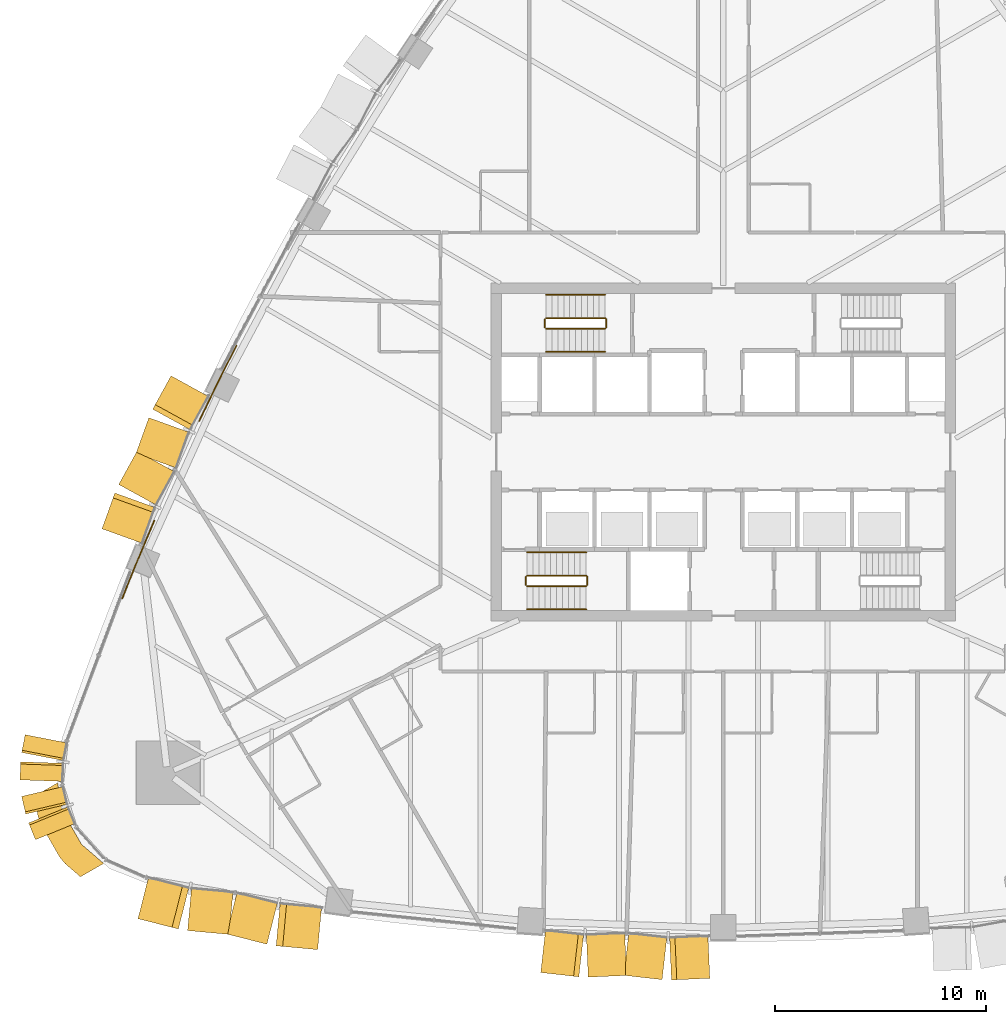
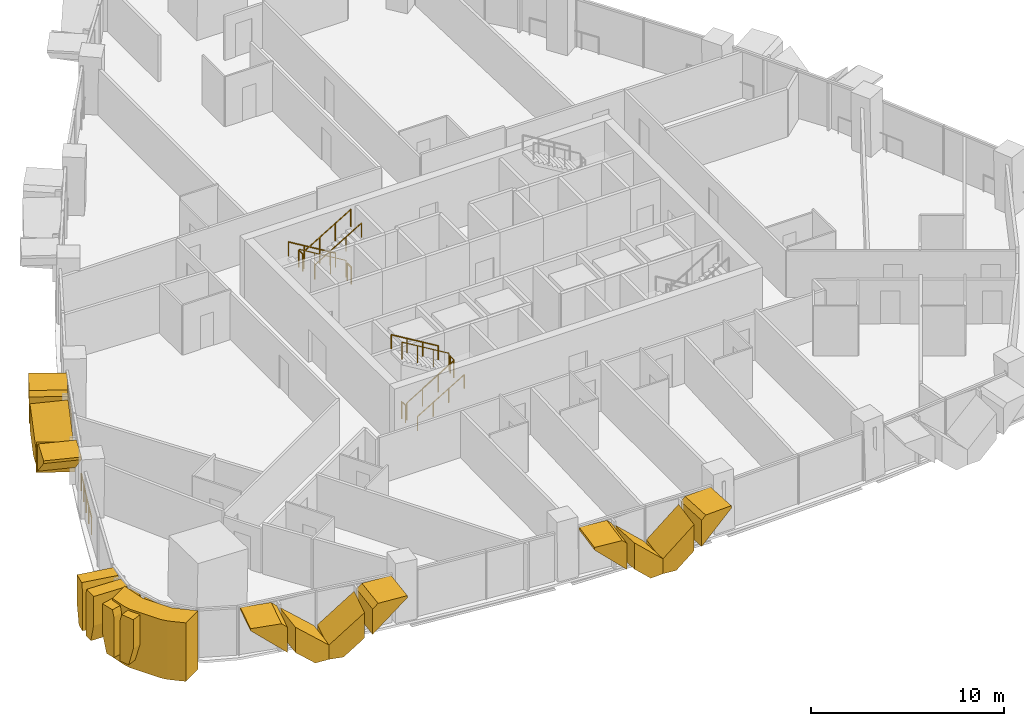
# One storey, part 16 of 19: 17 coverings, 14 railings.
"""IFC4 building model written with IfcOpenShell, lengths in metres."""

from ifc_helpers import new_model, si_unit, direction, frame, origin, origin_2d, place, context, subcontext, project, spatial, polyline, circle, outline, extrude, material, layer, layer_set, type_object, element, save


model = new_model("IFC4")

# Units and contexts
model_context = context("Model", 3, precision=1e-05, world=origin(), true_north=direction((0.0, 1.0)))
body_context = subcontext(model_context, "Body", "Model", "MODEL_VIEW")
ifc_project = project(units=[si_unit("LENGTHUNIT", "METRE"), si_unit("AREAUNIT", "SQUARE_METRE"), si_unit("VOLUMEUNIT", "CUBIC_METRE"), si_unit("PLANEANGLEUNIT", "RADIAN"), si_unit("MASSUNIT", "GRAM", prefix="KILO")], contexts=[model_context])

# Site, building, storey
site_placement = place(None, origin())
site = spatial("IfcSite", under=ifc_project, at=site_placement, CompositionType="ELEMENT")
building_placement = place(site_placement, origin())
building = spatial("IfcBuilding", under=site, at=building_placement, Name="Sierra Prisma Convention Tower", CompositionType="ELEMENT")
storey_placement = place(building_placement, frame((0.0, 0.0, 77.60009765625)))
storey = spatial("IfcBuildingStorey", under=building, at=storey_placement, Name="L15", CompositionType="ELEMENT", Elevation=77.60009765625)

# Coverings
ifc_material_1 = material(Name="Aluminium composite bronze anodised", Category="aluminium")
ifc_layer_1 = layer(ifc_material_1, 1.199951171875)
ifc_layer_set_1 = layer_set([ifc_layer_1], Name="Bronze corner pier")
covering_type_1 = type_object("IfcCoveringType", Name="Bronze corner pier", PredefinedType="CLADDING", material=ifc_layer_set_1)
covering_1_placement = place(storey_placement, frame((0.0, 0.0, -0.60009765625)))
element("IfcCovering", 1, at=covering_1_placement, inside=storey, type_object=covering_type_1, Name="Corner pier SW L15.1", PredefinedType="CLADDING", context=body_context, shape_type="SweptSolid", body=[
    extrude(outline(polyline([(-31.18701171875, -19.494140625), (-31.44384765625, -19.1826171875), (-32.32421875, -17.64794921875), (-32.46337890625, -17.268798828125), (-32.641357421875, -16.30517578125), (-31.538818359375, -15.668701171875), (-31.283447265625, -17.05078125), (-30.403076171875, -18.58544921875), (-29.355712890625, -19.489013671875), (-30.456298828125, -20.124267578125), (-31.18701171875, -19.494140625)])), origin(), (0.0, 0.0, 1.0), 3.699951171875),
])
ifc_material_2 = material(Name="Aluminium 6063-T6 bronze anodised", Category="aluminium")
ifc_layer_2 = layer(ifc_material_2, 2.0)
ifc_layer_set_2 = layer_set([ifc_layer_2], Name="Bronze crystal chevron frame")
covering_type_2 = type_object("IfcCoveringType", Name="Bronze crystal chevron frame", PredefinedType="CLADDING", material=ifc_layer_set_2)
covering_2_placement = place(storey_placement, frame((-27.731201171875, -22.107177734375, 2.97998046875), z_axis=(-0.246490735757, -0.969145147577, -1.0673874e-05), x_axis=(2.631011e-06, 1.0344533e-05, -0.999999999943)))
element("IfcCovering", 2, at=covering_2_placement, inside=storey, type_object=covering_type_2, Name="CW-2 chevron frame S1.1.1", PredefinedType="CLADDING", context=body_context, shape_type="SweptSolid", body=[
    extrude(outline(polyline([(0.0, 0.0), (0.13256835936744815, 0.0), (1.8725585936744535, 1.9750001183017465), (0.27319335939056266, 1.9750001183017465), (-1.9732193179758384e-10, 1.6649001971514577), (0.0, 0.0)])), origin(), (0.0, 0.0, -1.0), 2.0),
])
covering_3_placement = place(storey_placement, frame((-25.380126953125, -22.669189453125, 2.59228515625), z_axis=(-0.091856139906, -0.995772287952, -1.0424637e-05), x_axis=(9.57567e-07, 1.0380564e-05, -0.999999999946)))
element("IfcCovering", 3, at=covering_3_placement, inside=storey, type_object=covering_type_2, Name="CW-2 chevron frame S1.1.2", PredefinedType="CLADDING", context=body_context, shape_type="SweptSolid", body=[
    extrude(outline(polyline([(0.0, 0.0), (1.599365234288096, 0.0), (2.5922851564834772, 1.1273212850521799), (2.5922851562170477, 1.9749010966411102), (1.7399902343883586, 1.9749010966411102), (0.0, 0.0)])), origin(), (0.0, 0.0, -1.0), 2.0),
])
covering_4_placement = place(storey_placement, frame((-23.535888671875, -22.82958984375, 0.0), z_axis=(-0.246356612253, -0.969179249902, -3.4031225e-05), x_axis=(0.969179250464, -0.246356612395, -3.35e-09)))
element("IfcCovering", 4, at=covering_4_placement, inside=storey, type_object=covering_type_2, Name="CW-2 chevron frame S1.2.1", PredefinedType="CLADDING", context=body_context, shape_type="SweptSolid", body=[
    extrude(outline(polyline([(0.0, 0.0), (0.8476374710468428, 8.470329472543003e-22), (1.974939950809314, 0.9929199290654092), (1.9749399454519279, 2.592285162514277), (-2.8549282284400705e-09, 0.8522949213814682), (0.0, 0.0)])), origin(), (0.0, 0.0, -1.0), 2.0),
])
covering_5_placement = place(storey_placement, frame((-19.21826171875, -23.57275390625, 2.97998046875), z_axis=(-0.091843965153, -0.995773409725, -5.0495189e-05), x_axis=(-0.995773410994, 0.09184396527, 2.652e-09)))
element("IfcCovering", 5, at=covering_5_placement, inside=storey, type_object=covering_type_2, Name="CW-2 chevron frame S1.2.2", PredefinedType="CLADDING", context=body_context, shape_type="SweptSolid", body=[
    extrude(outline(polyline([(0.0, 0.0), (1.6649881729302238, 0.0), (1.9749010958954691, 0.2731933649612886), (1.9749010916534977, 1.8725585972972867), (-3.516089833202276e-10, 0.132568359205991), (0.0, 0.0)])), origin(), (0.0, 0.0, -1.0), 2.0),
])
covering_6_placement = place(storey_placement, frame((-8.652587890625, -24.65576171875, 2.97998046875), z_axis=(-0.112465970089, -0.993655576822, -1.4922851e-05), x_axis=(1.678313e-06, 1.4828174e-05, -0.999999999889)))
element("IfcCovering", 6, at=covering_6_placement, inside=storey, type_object=covering_type_2, Name="CW-2 chevron frame S3.1.1", PredefinedType="CLADDING", context=body_context, shape_type="SweptSolid", body=[
    extrude(outline(polyline([(0.0, 0.0), (0.16552734373156924, 3.505177845693455e-23), (1.8964843748422784, 1.8191582945687363), (0.2399902344017219, 1.8191582945687363), (-4.057486676755433e-10, 1.5670741455295385), (0.0, 0.0)])), origin(), (0.0, 0.0, -1.0), 2.0),
])
covering_7_placement = place(storey_placement, frame((-6.40185546875, -24.87548828125, 2.6162109375), z_axis=(0.044402094206, -0.999013739986, -3.672314e-05), x_axis=(-1.630584e-06, 3.6686921e-05, -0.999999999326)))
element("IfcCovering", 7, at=covering_7_placement, inside=storey, type_object=covering_type_2, Name="CW-2 chevron frame S3.1.2", PredefinedType="CLADDING", context=body_context, shape_type="SweptSolid", body=[
    extrude(outline(polyline([(0.0, 0.0), (1.656494139508035, 3.507762785107683e-22), (2.61621094045794, 1.0088131608358997), (2.6162109370301665, 1.819178559244397), (1.7309570313770888, 1.819178559244397), (0.0, 0.0)])), origin(), (0.0, 0.0, -1.0), 2.0),
])
covering_8_placement = place(storey_placement, frame((-4.708740234375, -24.790283203125, 0.0), z_axis=(-0.112495088395, -0.993652279006, 5.9278726e-05), x_axis=(0.993652280751, -0.112495088594, -1.1022e-08)))
element("IfcCovering", 8, at=covering_8_placement, inside=storey, type_object=covering_type_2, Name="CW-2 chevron frame S3.2.1", PredefinedType="CLADDING", context=body_context, shape_type="SweptSolid", body=[
    extrude(outline(polyline([(0.0, 0.0), (0.810336519788059, 0.0), (1.8191582831045787, 0.959716818612173), (1.819158264846515, 2.6162109563267393), (-9.75736757982233e-09, 0.8852539046946233), (0.0, 0.0)])), origin(), (0.0, 0.0, -1.0), 2.0),
])
covering_9_placement = place(storey_placement, frame((-0.640625, -24.92919921875, 2.97998046875), z_axis=(0.044419677706, -0.999012958901, 1.3436978e-05), x_axis=(-0.999012958991, -0.04441967771, 2.1e-10)))
element("IfcCovering", 9, at=covering_9_placement, inside=storey, type_object=covering_type_2, Name="CW-2 chevron frame S3.2.2", PredefinedType="CLADDING", context=body_context, shape_type="SweptSolid", body=[
    extrude(outline(polyline([(0.0, 0.0), (1.5669752688472267, 0.0), (1.8191785595325531, 0.23999023477858322), (1.8191785591847893, 1.8964843752540412), (-3.475076032456509e-11, 0.16552734373505684), (0.0, 0.0)])), origin(), (0.0, 0.0, -1.0), 2.0),
])
covering_10_placement = place(storey_placement, frame((-26.1650390625, 3.61083984375, 2.97998046875), z_axis=(-0.876337283848, 0.481697997257, 6.6161734e-05), x_axis=(-5.7979994e-05, 3.1869975e-05, -0.999999997811)))
element("IfcCovering", 10, at=covering_10_placement, inside=storey, type_object=covering_type_2, Name="CW-2 chevron frame NW5.1.1", PredefinedType="CLADDING", context=body_context, shape_type="SweptSolid", body=[
    extrude(outline(polyline([(0.0, 0.0), (0.16918945275469716, 5.732361644992482e-22), (1.8994140593762046, 1.8027779189897473), (0.2360839848917141, 1.8027779189897473), (-8.021625283158621e-09, 1.5567058851737683), (0.0, 0.0)])), origin(), (0.0, 0.0, -1.0), 2.0),
])
covering_11_placement = place(storey_placement, frame((-27.2158203125, 1.626708984375, 2.619140625), z_axis=(-0.940933599858, 0.33859113892, 3.6106659e-05), x_axis=(-3.3973969e-05, 1.2225395e-05, -0.999999999348)))
element("IfcCovering", 11, at=covering_11_placement, inside=storey, type_object=covering_type_2, Name="CW-2 chevron frame NW5.1.2", PredefinedType="CLADDING", context=body_context, shape_type="SweptSolid", body=[
    extrude(outline(polyline([(0.0, 0.0), (1.663330077040766, 2.8177907566618888e-21), (2.619140627866465, 0.9961369742433563), (2.6191406245388067, 1.8025252857236567), (1.7299804688684017, 1.8025252857236567), (0.0, 0.0)])), origin(), (0.0, 0.0, -1.0), 2.0),
])
covering_12_placement = place(storey_placement, frame((-27.775146484375, 0.0439453125, 0.0), z_axis=(-0.876388177722, 0.481605400594, 8.221524e-06), x_axis=(-0.481605400611, -0.876388177752, -2.14e-10)))
element("IfcCovering", 12, at=covering_12_placement, inside=storey, type_object=covering_type_2, Name="CW-2 chevron frame NW5.2.1", PredefinedType="CLADDING", context=body_context, shape_type="SweptSolid", body=[
    extrude(outline(polyline([(0.0, 0.0), (0.80648876146539, 8.470329472543003e-22), (1.8026603276279587, 0.9558105472929453), (1.8026603272721236, 2.6191406253617306), (-1.9021748507486815e-10, 0.8891601562199494), (0.0, 0.0)])), origin(), (0.0, 0.0, -1.0), 2.0),
])
covering_13_placement = place(storey_placement, frame((-29.436279296875, -3.635986328125, 2.97998046875), z_axis=(-0.940926344773, 0.33861130136, 1.7423595e-05), x_axis=(0.338611301412, 0.940926344916, 3.57e-10)))
element("IfcCovering", 13, at=covering_13_placement, inside=storey, type_object=covering_type_2, Name="CW-2 chevron frame NW5.2.2", PredefinedType="CLADDING", context=body_context, shape_type="SweptSolid", body=[
    extrude(outline(polyline([(0.0, 0.0), (1.5565622419181362, 0.0), (1.8025252859649608, 0.23608398505506253), (1.8025252853704823, 1.8994140629275844), (-6.046874440899754e-11, 0.1691894530993186), (0.0, 0.0)])), origin(), (0.0, 0.0, -1.0), 2.0),
])
covering_14_placement = place(storey_placement, frame((-33.076416015625, -13.39013671875, 2.97998046875), z_axis=(-0.981623000681, 0.190830511136, 2.3533257e-05), x_axis=(-2.3100786e-05, 4.490863e-06, -0.999999999723)))
element("IfcCovering", 14, at=covering_14_placement, inside=storey, type_object=covering_type_2, Name="CW-2 chevron frame SW1.1.1", PredefinedType="CLADDING", context=body_context, shape_type="SweptSolid", body=[
    extrude(outline(polyline([(0.0, 0.0), (1.841552733865061, 0.0), (2.979980471341911, 0.30246103523199497), (2.9799804685737077, 0.8583076780506633), (0.3996582036632173, 0.8583076780506633), (7.058754763989405e-10, 0.7521084705712978), (0.0, 0.0)])), origin(), (0.0, 0.0, -1.0), 2.0),
])
covering_15_placement = place(storey_placement, frame((-33.290283203125, -14.67333984375, 0.0), z_axis=(-0.999397759366, 0.034700411327, 5.243125e-06), x_axis=(-0.034700411328, -0.99939775938, -2.1e-11)))
element("IfcCovering", 15, at=covering_15_placement, inside=storey, type_object=covering_type_2, Name="CW-2 chevron frame SW1.1.2", PredefinedType="CLADDING", context=body_context, shape_type="SweptSolid", body=[
    extrude(outline(polyline([(0.0, 0.0), (0.5557546960655034, -1.3234889800848443e-23), (0.8584270450553323, 1.1384277343908422), (0.858427045017212, 2.9799804687405302), (0.10626428985535488, 2.9799804688439977), (-5.3412932982988035e-11, 2.5803222655895333), (0.0, 0.0)])), origin(), (0.0, 0.0, -1.0), 2.0),
])
covering_16_placement = place(storey_placement, frame((-33.242919921875, -16.31298828125, 2.97998046875), z_axis=(-0.973500403921, -0.228685290733, 3.6976692e-05), x_axis=(-3.5996825e-05, -8.456026e-06, -0.999999999316)))
element("IfcCovering", 16, at=covering_16_placement, inside=storey, type_object=covering_type_2, Name="CW-2 chevron frame SW2.1.1", PredefinedType="CLADDING", context=body_context, shape_type="SweptSolid", body=[
    extrude(outline(polyline([(0.0, 0.0), (1.8415527331160448, 0.0), (2.979980469365474, 0.3024315003060266), (2.979980467574227, 0.8584362448183566), (0.3996582037132328, 0.8584362448183566), (-4.428878439706079e-09, 0.7521364363850338), (0.0, 0.0)])), origin(), (0.0, 0.0, -1.0), 2.0),
])
covering_17_placement = place(storey_placement, frame((-32.91162109375, -17.571044921875, 0.0), z_axis=(-0.925565823923, -0.37858672099, 1.6600413e-05), x_axis=(0.378586721042, -0.925565824051, 1.134e-09)))
element("IfcCovering", 17, at=covering_17_placement, inside=storey, type_object=covering_type_2, Name="CW-2 chevron frame SW2.1.2", PredefinedType="CLADDING", context=body_context, shape_type="SweptSolid", body=[
    extrude(outline(polyline([(0.0, 0.0), (0.5557883166047477, 8.470329472543003e-22), (0.8583227838027331, 1.138427733272808), (0.8583227858911511, 2.9799804673940664), (0.10608991310609436, 2.9799804703529005), (2.9262215210570065e-09, 2.5803222652694653), (0.0, 0.0)])), origin(), (0.0, 0.0, -1.0), 2.0),
])

# Railings
ifc_material_3 = material(Name="Stainless steel", Category="steel")
railing_type_1 = type_object("IfcRailingType", Name="Exit stair handrail", PredefinedType="HANDRAIL", material=ifc_material_3)
railing_1_placement = place(storey_placement, frame((-9.300048828125, -7.449951171875, 0.16796875)))
element("IfcRailing", 18, at=railing_1_placement, inside=storey, type_object=railing_type_1, Name="L15 S1 stair handrail 1", PredefinedType="HANDRAIL", context=body_context, shape_type="SweptSolid", body=[
    extrude(circle(Radius=0.02392578125, at=origin_2d()), frame((0.0, 0.0, 0.8759765625), z_axis=(0.857242210791, 0.0, 0.514913383045), x_axis=(0.0, 1.0, 0.0)), (0.0, 0.0, 1.0), 3.266357421875),
    extrude(circle(Radius=0.02099609375, at=origin_2d()), origin(), (0.0, 0.0, 1.0), 0.851806640625),
    extrude(circle(Radius=0.02099609375, at=origin_2d()), frame((0.933349609375, 0.0, 0.560546875)), (0.0, 0.0, 1.0), 0.851806640625),
    extrude(circle(Radius=0.02099609375, at=origin_2d()), frame((1.86669921875, 0.0, 1.121337890625)), (0.0, 0.0, 1.0), 0.851806640625),
    extrude(circle(Radius=0.02099609375, at=origin_2d()), frame((2.800048828125, 0.0, 1.681884765625)), (0.0, 0.0, 1.0), 0.851806640625),
])
railing_2_placement = place(storey_placement, frame((-6.5, -4.75, 2.01806640625)))
element("IfcRailing", 19, at=railing_2_placement, inside=storey, type_object=railing_type_1, Name="L15 S1 stair handrail 2", PredefinedType="HANDRAIL", context=body_context, shape_type="SweptSolid", body=[
    extrude(circle(Radius=0.02392578125, at=origin_2d()), frame((0.0, 0.0, 0.8759765625), z_axis=(-0.857242210791, 0.0, 0.514913383045), x_axis=(0.0, -1.0, 0.0)), (0.0, 0.0, 1.0), 3.266357421875),
    extrude(circle(Radius=0.02099609375, at=origin_2d()), origin(), (0.0, 0.0, 1.0), 0.851806640625),
    extrude(circle(Radius=0.02099609375, at=origin_2d()), frame((-0.933349609375, 0.0, 0.560546875)), (0.0, 0.0, 1.0), 0.851806640625),
    extrude(circle(Radius=0.02099609375, at=origin_2d()), frame((-1.86669921875, 0.0, 1.121337890625)), (0.0, 0.0, 1.0), 0.851806640625),
    extrude(circle(Radius=0.02099609375, at=origin_2d()), frame((-2.800048828125, 0.0, 1.681884765625)), (0.0, 0.0, 1.0), 0.851806640625),
])
railing_3_placement = place(storey_placement, frame((-5.60009765625, 7.449951171875, 0.16796875)))
element("IfcRailing", 20, at=railing_3_placement, inside=storey, type_object=railing_type_1, Name="L15 S3 stair handrail 1", PredefinedType="HANDRAIL", context=body_context, shape_type="SweptSolid", body=[
    extrude(circle(Radius=0.02392578125, at=origin_2d()), frame((0.0, 0.0, 0.8759765625), z_axis=(-0.857222391501, 0.0, 0.514946377315), x_axis=(0.0, -1.0, 0.0)), (0.0, 0.0, 1.0), 3.26611328125),
    extrude(circle(Radius=0.02099609375, at=origin_2d()), origin(), (0.0, 0.0, 1.0), 0.851806640625),
    extrude(circle(Radius=0.02099609375, at=origin_2d()), frame((-0.933349609375, 0.0, 0.560546875)), (0.0, 0.0, 1.0), 0.851806640625),
    extrude(circle(Radius=0.02099609375, at=origin_2d()), frame((-1.866455078125, 0.0, 1.121337890625)), (0.0, 0.0, 1.0), 0.851806640625),
    extrude(circle(Radius=0.02099609375, at=origin_2d()), frame((-2.7998046875, 0.0, 1.681884765625)), (0.0, 0.0, 1.0), 0.851806640625),
])
railing_4_placement = place(storey_placement, frame((-8.39990234375, 4.75, 2.01806640625)))
element("IfcRailing", 21, at=railing_4_placement, inside=storey, type_object=railing_type_1, Name="L15 S3 stair handrail 2", PredefinedType="HANDRAIL", context=body_context, shape_type="SweptSolid", body=[
    extrude(circle(Radius=0.02392578125, at=origin_2d()), frame((0.0, 0.0, 0.8759765625), z_axis=(0.857222391501, 0.0, 0.514946377315), x_axis=(0.0, 1.0, 0.0)), (0.0, 0.0, 1.0), 3.26611328125),
    extrude(circle(Radius=0.02099609375, at=origin_2d()), origin(), (0.0, 0.0, 1.0), 0.851806640625),
    extrude(circle(Radius=0.02099609375, at=origin_2d()), frame((0.933349609375, 0.0, 0.560546875)), (0.0, 0.0, 1.0), 0.851806640625),
    extrude(circle(Radius=0.02099609375, at=origin_2d()), frame((1.866455078125, 0.0, 1.121337890625)), (0.0, 0.0, 1.0), 0.851806640625),
    extrude(circle(Radius=0.02099609375, at=origin_2d()), frame((2.7998046875, 0.0, 1.681884765625)), (0.0, 0.0, 1.0), 0.851806640625),
])
ifc_material_4 = material(Name="Bronze anodised aluminium", Category="aluminium")
railing_type_2 = type_object("IfcRailingType", Name="Facade guard 1100", PredefinedType="GUARDRAIL", material=ifc_material_4)
railing_5_placement = place(storey_placement, frame((-23.065673828125, 5.048583984375, 0.0)))
element("IfcRailing", 22, at=railing_5_placement, inside=storey, type_object=railing_type_2, Name="Facade guard", PredefinedType="GUARDRAIL", context=body_context, shape_type="SweptSolid", body=[
    extrude(circle(Radius=0.02392578125, at=origin_2d()), frame((0.0, 0.0, 1.076171875), z_axis=(-0.452608247892, -0.891709467226, 0.0), x_axis=(0.891709467226, -0.452608247892, 0.0)), (0.0, 0.0, 1.0), 0.994140625),
    extrude(circle(Radius=0.02392578125, at=origin_2d()), frame((-0.449951171875, -0.886474609375, 1.076171875), z_axis=(-0.443596720488, -0.89622650573, 0.0), x_axis=(0.89622650573, -0.443596720488, 0.0)), (0.0, 0.0, 1.0), 1.0),
    extrude(circle(Radius=0.02392578125, at=origin_2d()), frame((-0.8935546875, -1.78271484375, 1.076171875), z_axis=(-0.439536003583, -0.898224972685, 0.0), x_axis=(0.898224972685, -0.439536003583, 0.0)), (0.0, 0.0, 1.0), 0.994140625),
    extrude(circle(Radius=0.02392578125, at=origin_2d()), frame((-1.33056640625, -2.67578125, 1.076171875), z_axis=(-0.430634686673, -0.902526324621, 0.0), x_axis=(0.902526324621, -0.430634686673, 0.0)), (0.0, 0.0, 1.0), 1.0),
    extrude(circle(Radius=0.02099609375, at=origin_2d()), origin(), (0.0, 0.0, 1.0), 1.052001953125),
    extrude(circle(Radius=0.02099609375, at=origin_2d()), frame((-0.449951171875, -0.886474609375, 0.0)), (0.0, 0.0, 1.0), 1.052001953125),
    extrude(circle(Radius=0.02099609375, at=origin_2d()), frame((-0.8935546875, -1.78271484375, 0.0)), (0.0, 0.0, 1.0), 1.052001953125),
    extrude(circle(Radius=0.02099609375, at=origin_2d()), frame((-1.33056640625, -2.67578125, 0.0)), (0.0, 0.0, 1.0), 1.052001953125),
    extrude(circle(Radius=0.02099609375, at=origin_2d()), frame((-1.76123046875, -3.578369140625, 0.0)), (0.0, 0.0, 1.0), 1.052001953125),
])
railing_6_placement = place(storey_placement, frame((-26.955322265625, -3.2421875, 0.0)))
element("IfcRailing", 23, at=railing_6_placement, inside=storey, type_object=railing_type_2, Name="Facade guard", PredefinedType="GUARDRAIL", context=body_context, shape_type="SweptSolid", body=[
    extrude(circle(Radius=0.02392578125, at=origin_2d()), frame((0.0, 0.0, 1.076171875), z_axis=(-0.392003623826, -0.919963672602, 0.0), x_axis=(0.919963672602, -0.392003623826, 0.0)), (0.0, 0.0, 1.0), 1.000244140625),
    extrude(circle(Radius=0.02392578125, at=origin_2d()), frame((-0.39208984375, -0.920166015625, 1.076171875), z_axis=(-0.383760955271, -0.923432471386, 0.0), x_axis=(0.923432471386, -0.383760955271, 0.0)), (0.0, 0.0, 1.0), 0.994384765625),
    extrude(circle(Radius=0.02392578125, at=origin_2d()), frame((-0.773681640625, -1.83837890625, 1.076171875), z_axis=(-0.378746944728, -0.925500271129, 0.0), x_axis=(0.925500271129, -0.378746944728, 0.0)), (0.0, 0.0, 1.0), 0.999755859375),
    extrude(circle(Radius=0.02392578125, at=origin_2d()), frame((-1.15234375, -2.763671875, 1.076171875), z_axis=(-0.369993351849, -0.929034401724, 0.0), x_axis=(0.929034401724, -0.369993351849, 0.0)), (0.0, 0.0, 1.0), 0.994384765625),
    extrude(circle(Radius=0.02099609375, at=origin_2d()), origin(), (0.0, 0.0, 1.0), 1.052001953125),
    extrude(circle(Radius=0.02099609375, at=origin_2d()), frame((-0.39208984375, -0.920166015625, 0.0)), (0.0, 0.0, 1.0), 1.052001953125),
    extrude(circle(Radius=0.02099609375, at=origin_2d()), frame((-0.773681640625, -1.83837890625, 0.0)), (0.0, 0.0, 1.0), 1.052001953125),
    extrude(circle(Radius=0.02099609375, at=origin_2d()), frame((-1.15234375, -2.763671875, 0.0)), (0.0, 0.0, 1.0), 1.052001953125),
    extrude(circle(Radius=0.02099609375, at=origin_2d()), frame((-1.520263671875, -3.6875, 0.0)), (0.0, 0.0, 1.0), 1.052001953125),
])
ifc_material_5 = material(Name="Stainless steel", Category="steel")
railing_type_3 = type_object("IfcRailingType", Name="Stair guard 1100", PredefinedType="GUARDRAIL", material=ifc_material_5)
railing_7_placement = place(storey_placement, frame((-9.300048828125, -6.35009765625, 0.16796875)))
element("IfcRailing", 24, at=railing_7_placement, inside=storey, type_object=railing_type_3, Name="L15 S1 stair guard 1", PredefinedType="GUARDRAIL", context=body_context, shape_type="SweptSolid", body=[
    extrude(circle(Radius=0.02392578125, at=origin_2d()), frame((0.0, 0.0, 1.076171875), z_axis=(0.857242210791, 0.0, 0.514913383045), x_axis=(0.0, 1.0, 0.0)), (0.0, 0.0, 1.0), 3.266357421875),
    extrude(circle(Radius=0.02099609375, at=origin_2d()), origin(), (0.0, 0.0, 1.0), 1.052001953125),
    extrude(circle(Radius=0.02099609375, at=origin_2d()), frame((0.933349609375, 0.0, 0.560546875)), (0.0, 0.0, 1.0), 1.052001953125),
    extrude(circle(Radius=0.02099609375, at=origin_2d()), frame((1.86669921875, 0.0, 1.121337890625)), (0.0, 0.0, 1.0), 1.052001953125),
    extrude(circle(Radius=0.02099609375, at=origin_2d()), frame((2.800048828125, 0.0, 1.681884765625)), (0.0, 0.0, 1.0), 1.052001953125),
])
railing_8_placement = place(storey_placement, frame((-6.449951171875, -6.300048828125, 1.849853515625)))
element("IfcRailing", 25, at=railing_8_placement, inside=storey, type_object=railing_type_3, Name="L15 S1 stair guard 2", PredefinedType="GUARDRAIL", context=body_context, shape_type="SweptSolid", body=[
    extrude(circle(Radius=0.02392578125, at=origin_2d()), frame((0.0, 0.0, 1.076171875), z_axis=(0.0, 1.0, 0.0), x_axis=(-1.0, 0.0, 0.0)), (0.0, 0.0, 1.0), 0.400146484375),
    extrude(circle(Radius=0.02099609375, at=origin_2d()), origin(), (0.0, 0.0, 1.0), 1.052001953125),
    extrude(circle(Radius=0.02099609375, at=origin_2d()), frame((0.0, 0.400146484375, 0.0)), (0.0, 0.0, 1.0), 1.052001953125),
])
railing_9_placement = place(storey_placement, frame((-6.5, -5.85009765625, 2.01806640625)))
element("IfcRailing", 26, at=railing_9_placement, inside=storey, type_object=railing_type_3, Name="L15 S1 stair guard 3", PredefinedType="GUARDRAIL", context=body_context, shape_type="SweptSolid", body=[
    extrude(circle(Radius=0.02392578125, at=origin_2d()), frame((0.0, 0.0, 1.076171875), z_axis=(-0.857242210791, 0.0, 0.514913383045), x_axis=(0.0, -1.0, 0.0)), (0.0, 0.0, 1.0), 3.266357421875),
    extrude(circle(Radius=0.02099609375, at=origin_2d()), origin(), (0.0, 0.0, 1.0), 1.052001953125),
    extrude(circle(Radius=0.02099609375, at=origin_2d()), frame((-0.933349609375, 0.0, 0.560546875)), (0.0, 0.0, 1.0), 1.052001953125),
    extrude(circle(Radius=0.02099609375, at=origin_2d()), frame((-1.86669921875, 0.0, 1.121337890625)), (0.0, 0.0, 1.0), 1.052001953125),
    extrude(circle(Radius=0.02099609375, at=origin_2d()), frame((-2.800048828125, 0.0, 1.681884765625)), (0.0, 0.0, 1.0), 1.052001953125),
])
railing_10_placement = place(storey_placement, frame((-9.35009765625, -6.300048828125, 0.0)))
element("IfcRailing", 27, at=railing_10_placement, inside=storey, type_object=railing_type_3, Name="L15 S1 stair guard 4", PredefinedType="GUARDRAIL", context=body_context, shape_type="SweptSolid", body=[
    extrude(circle(Radius=0.02392578125, at=origin_2d()), frame((0.0, 0.0, 1.076171875), z_axis=(0.0, 1.0, 0.0), x_axis=(-1.0, 0.0, 0.0)), (0.0, 0.0, 1.0), 0.400146484375),
    extrude(circle(Radius=0.02099609375, at=origin_2d()), origin(), (0.0, 0.0, 1.0), 1.052001953125),
    extrude(circle(Radius=0.02099609375, at=origin_2d()), frame((0.0, 0.400146484375, 0.0)), (0.0, 0.0, 1.0), 1.052001953125),
])
railing_11_placement = place(storey_placement, frame((-5.60009765625, 6.35009765625, 0.16796875)))
element("IfcRailing", 28, at=railing_11_placement, inside=storey, type_object=railing_type_3, Name="L15 S3 stair guard 1", PredefinedType="GUARDRAIL", context=body_context, shape_type="SweptSolid", body=[
    extrude(circle(Radius=0.02392578125, at=origin_2d()), frame((0.0, 0.0, 1.076171875), z_axis=(-0.857222391501, 0.0, 0.514946377315), x_axis=(0.0, -1.0, 0.0)), (0.0, 0.0, 1.0), 3.26611328125),
    extrude(circle(Radius=0.02099609375, at=origin_2d()), origin(), (0.0, 0.0, 1.0), 1.052001953125),
    extrude(circle(Radius=0.02099609375, at=origin_2d()), frame((-0.933349609375, 0.0, 0.560546875)), (0.0, 0.0, 1.0), 1.052001953125),
    extrude(circle(Radius=0.02099609375, at=origin_2d()), frame((-1.866455078125, 0.0, 1.121337890625)), (0.0, 0.0, 1.0), 1.052001953125),
    extrude(circle(Radius=0.02099609375, at=origin_2d()), frame((-2.7998046875, 0.0, 1.681884765625)), (0.0, 0.0, 1.0), 1.052001953125),
])
railing_12_placement = place(storey_placement, frame((-8.449951171875, 6.300048828125, 1.849853515625)))
element("IfcRailing", 29, at=railing_12_placement, inside=storey, type_object=railing_type_3, Name="L15 S3 stair guard 2", PredefinedType="GUARDRAIL", context=body_context, shape_type="SweptSolid", body=[
    extrude(circle(Radius=0.02392578125, at=origin_2d()), frame((0.0, 0.0, 1.076171875), z_axis=(0.0, -1.0, 0.0), x_axis=(1.0, 0.0, 0.0)), (0.0, 0.0, 1.0), 0.400146484375),
    extrude(circle(Radius=0.02099609375, at=origin_2d()), origin(), (0.0, 0.0, 1.0), 1.052001953125),
    extrude(circle(Radius=0.02099609375, at=origin_2d()), frame((0.0, -0.400146484375, 0.0)), (0.0, 0.0, 1.0), 1.052001953125),
])
railing_13_placement = place(storey_placement, frame((-8.39990234375, 5.85009765625, 2.01806640625)))
element("IfcRailing", 30, at=railing_13_placement, inside=storey, type_object=railing_type_3, Name="L15 S3 stair guard 3", PredefinedType="GUARDRAIL", context=body_context, shape_type="SweptSolid", body=[
    extrude(circle(Radius=0.02392578125, at=origin_2d()), frame((0.0, 0.0, 1.076171875), z_axis=(0.857222391501, 0.0, 0.514946377315), x_axis=(0.0, 1.0, 0.0)), (0.0, 0.0, 1.0), 3.26611328125),
    extrude(circle(Radius=0.02099609375, at=origin_2d()), origin(), (0.0, 0.0, 1.0), 1.052001953125),
    extrude(circle(Radius=0.02099609375, at=origin_2d()), frame((0.933349609375, 0.0, 0.560546875)), (0.0, 0.0, 1.0), 1.052001953125),
    extrude(circle(Radius=0.02099609375, at=origin_2d()), frame((1.866455078125, 0.0, 1.121337890625)), (0.0, 0.0, 1.0), 1.052001953125),
    extrude(circle(Radius=0.02099609375, at=origin_2d()), frame((2.7998046875, 0.0, 1.681884765625)), (0.0, 0.0, 1.0), 1.052001953125),
])
railing_14_placement = place(storey_placement, frame((-5.550048828125, 6.300048828125, 0.0)))
element("IfcRailing", 31, at=railing_14_placement, inside=storey, type_object=railing_type_3, Name="L15 S3 stair guard 4", PredefinedType="GUARDRAIL", context=body_context, shape_type="SweptSolid", body=[
    extrude(circle(Radius=0.02392578125, at=origin_2d()), frame((0.0, 0.0, 1.076171875), z_axis=(0.0, -1.0, 0.0), x_axis=(1.0, 0.0, 0.0)), (0.0, 0.0, 1.0), 0.400146484375),
    extrude(circle(Radius=0.02099609375, at=origin_2d()), origin(), (0.0, 0.0, 1.0), 1.052001953125),
    extrude(circle(Radius=0.02099609375, at=origin_2d()), frame((0.0, -0.400146484375, 0.0)), (0.0, 0.0, 1.0), 1.052001953125),
])

save(model, "model.ifc")
